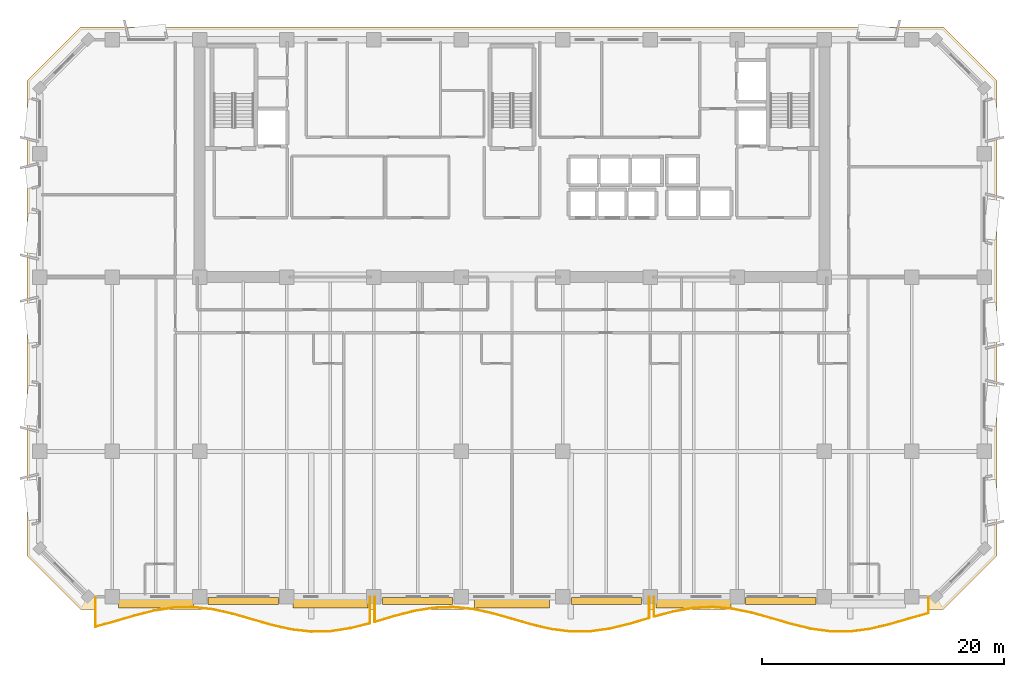
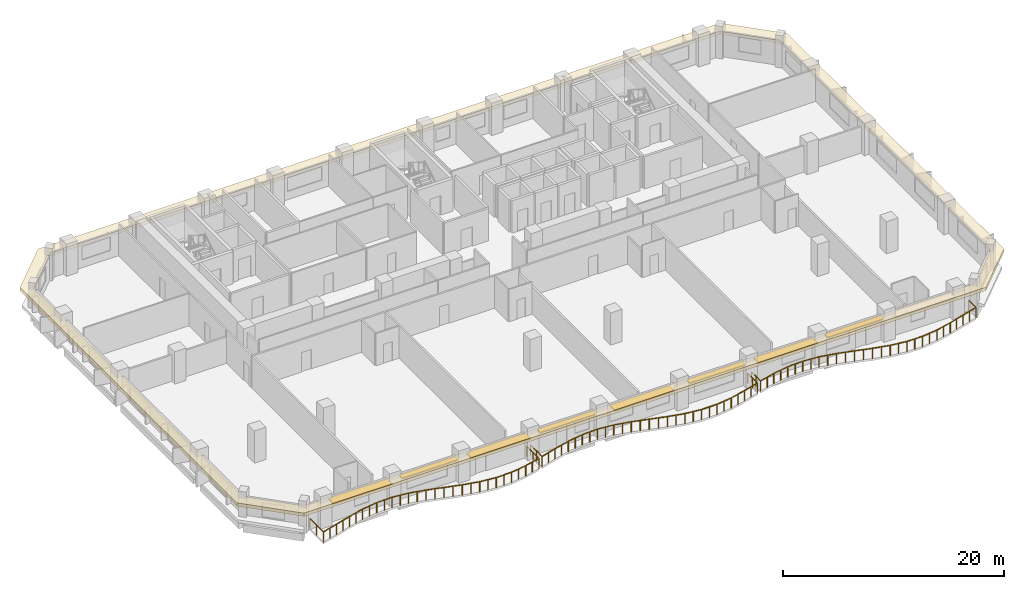
# One storey, part 10 of 14: 8 shading devices, 3 railings, 1 covering.
"""IFC4 building model written with IfcOpenShell, lengths in metres."""

import ifcopenshell
import ifcopenshell.guid

model = None  # the IFC model being written
_history = None  # IfcOwnerHistory: only IFC2X3 demands one
_inside = {}  # id of a spatial element -> (the spatial element, [elements in it])
_under = {}  # id of a project, library or spatial element -> (it, [spatial elements below it])
_declared = {}  # id of a project -> (the project, [libraries it declares])
_typed = {}  # id of a type object -> (the type object, [elements of that type])
_made_of = {}  # id of a material, layer set ... -> (it, [elements and type objects made of it])


def new_model(schema):
    """Start an empty IFC model of exactly this schema.

    Asked for "IFC4X3", IfcOpenShell would pick the latest addendum, in which some entities
    have other attributes; the version numbers below select the first issue.
    IFC2X3 requires an IfcOwnerHistory on every rooted entity: one is made here for all.
    """
    global model, _history
    if schema == "IFC4X3":
        model = ifcopenshell.file(schema_version=(4, 3, 0, 0))
    else:
        model = ifcopenshell.file(schema=schema)
    _inside.clear()
    _under.clear()
    _declared.clear()
    _typed.clear()
    _made_of.clear()
    _history = None
    if model.schema == "IFC2X3":
        org = make("IfcOrganization", Name="unknown")
        user = make(
            "IfcPersonAndOrganization",
            ThePerson=make("IfcPerson", FamilyName="unknown"),
            TheOrganization=org,
        )
        app = make(
            "IfcApplication",
            ApplicationDeveloper=org,
            Version="unknown",
            ApplicationFullName="unknown",
            ApplicationIdentifier="unknown",
        )
        _history = make(
            "IfcOwnerHistory",
            OwningUser=user,
            OwningApplication=app,
            ChangeAction="ADDED",
            CreationDate=0,
        )
    return model


def make(cls, **values):
    """One entity of the class cls with the attributes given. An attribute that is None is left unset."""
    return model.create_entity(
        cls, **{name: value for name, value in values.items() if value is not None}
    )


def rooted(cls, **values):
    """An entity with a GlobalId (a new one), such as an element, a storey or a relation."""
    return make(cls, GlobalId=ifcopenshell.guid.new(), OwnerHistory=_history, **values)


def si_unit(unit_type, name, prefix=None):
    """IfcSIUnit, for example si_unit("LENGTHUNIT", "METRE", prefix="MILLI")."""
    return make("IfcSIUnit", UnitType=unit_type, Prefix=prefix, Name=name)


def assignment(units):
    """IfcUnitAssignment: the units of a project."""
    return None if units is None else make("IfcUnitAssignment", Units=units)


def point(xyz):
    """IfcCartesianPoint."""
    return None if xyz is None else make("IfcCartesianPoint", Coordinates=xyz)


def direction(xyz):
    """IfcDirection."""
    return None if xyz is None else make("IfcDirection", DirectionRatios=xyz)


def frame(location, z_axis=None, x_axis=None):
    """IfcAxis2Placement3D, a coordinate frame: its origin and axes. An axis left out is left unset."""
    return make(
        "IfcAxis2Placement3D",
        Location=point(location),
        Axis=direction(z_axis),
        RefDirection=direction(x_axis),
    )


def frame_2d(location, x_axis=None):
    """IfcAxis2Placement2D, a coordinate frame in the plane: its origin and x axis."""
    return make(
        "IfcAxis2Placement2D", Location=point(location), RefDirection=direction(x_axis)
    )


def origin():
    """The frame at (0, 0, 0) with its axes left unset."""
    return frame((0.0, 0.0, 0.0))


def origin_2d():
    """The frame at (0, 0) in the plane with its x axis left unset."""
    return frame_2d((0.0, 0.0))


def place(relative_to, where):
    """IfcLocalPlacement: puts the frame where relative to a parent placement (None: the world)."""
    return make(
        "IfcLocalPlacement", PlacementRelTo=relative_to, RelativePlacement=where
    )


def context(
    kind, dimensions, precision=None, world=None, true_north=None, identifier=None
):
    """IfcGeometricRepresentationContext, for example the 3D "Model" context."""
    return make(
        "IfcGeometricRepresentationContext",
        ContextIdentifier=identifier,
        ContextType=kind,
        CoordinateSpaceDimension=dimensions,
        Precision=precision,
        WorldCoordinateSystem=world,
        TrueNorth=true_north,
    )


def subcontext(parent, identifier, kind, view, scale=None):
    """IfcGeometricRepresentationSubContext, for example "Body" below "Model"."""
    return make(
        "IfcGeometricRepresentationSubContext",
        ContextIdentifier=identifier,
        ContextType=kind,
        ParentContext=parent,
        TargetScale=scale,
        TargetView=view,
    )


def project(units=None, contexts=None):
    """IfcProject with its units and contexts."""
    return rooted(
        "IfcProject",
        Name="project",
        RepresentationContexts=contexts,
        UnitsInContext=assignment(units),
    )


def spatial(cls, under=None, at=None, **own):
    """A site, building, storey or space (cls), placed at a placement, below another one or the project."""
    s = rooted(cls, ObjectPlacement=at, **own)
    if under is not None:
        _under.setdefault(under.id(), (under, []))[1].append(s)
    return s


def polyline(points):
    """IfcPolyline through the points."""
    return make("IfcPolyline", Points=[point(p) for p in points])


def profile(cls, at=None, kind="AREA", **sizes):
    """A parametric profile (cls). Its sizes go by their IFC names, for example OverallWidth=200.0."""
    return make(cls, ProfileType=kind, Position=at, **sizes)


def rectangle(**sizes):
    """IfcRectangleProfileDef."""
    return profile("IfcRectangleProfileDef", **sizes)


def outline(outer, holes=None, kind="AREA"):
    """IfcArbitraryClosedProfileDef: a profile drawn as a closed curve; with holes, ...WithVoids."""
    if holes is None:
        return make("IfcArbitraryClosedProfileDef", ProfileType=kind, OuterCurve=outer)
    return make(
        "IfcArbitraryProfileDefWithVoids",
        ProfileType=kind,
        OuterCurve=outer,
        InnerCurves=holes,
    )


def extrude(swept, where, along, depth):
    """IfcExtrudedAreaSolid: the profile swept, set in the frame where, extruded along a direction by depth."""
    return make(
        "IfcExtrudedAreaSolid",
        SweptArea=swept,
        Position=where,
        ExtrudedDirection=direction(along),
        Depth=depth,
    )


def shape(context_of_items, identifier, shape_type, items):
    """IfcShapeRepresentation: the items that make up one representation, for example the "Body"."""
    return make(
        "IfcShapeRepresentation",
        ContextOfItems=context_of_items,
        RepresentationIdentifier=identifier,
        RepresentationType=shape_type,
        Items=items,
    )


def material(Name=None, Category=None):
    """IfcMaterial."""
    return make("IfcMaterial", Name=Name, Category=Category)


def layer(
    of_material, thickness, ventilated=None, Name=None, Category=None, Priority=None
):
    """IfcMaterialLayer: one layer of a wall or slab, of a material (None: an air gap)."""
    return make(
        "IfcMaterialLayer",
        Material=of_material,
        LayerThickness=thickness,
        IsVentilated=ventilated,
        Name=Name,
        Category=Category,
        Priority=Priority,
    )


def layer_set(layers, Name=None):
    """IfcMaterialLayerSet."""
    return make("IfcMaterialLayerSet", MaterialLayers=layers, LayerSetName=Name)


def made_of(thing, what):
    """Note that an element or type object is made of a material, layer set ...; save() writes the relation."""
    if what is not None:
        _made_of.setdefault(what.id(), (what, []))[1].append(thing)
    return thing


def type_object(cls, material=None, **own):
    """A type object (cls), such as IfcWallType, which elements share."""
    return made_of(rooted(cls, **own), material)


def element(
    cls,
    number,
    at=None,
    inside=None,
    cuts=None,
    type_object=None,
    material=None,
    context=None,
    identifier="Body",
    shape_type=None,
    held_by="IfcProductDefinitionShape",
    body=None,
    shapes=None,
    **own,
):
    """One element of the class cls, such as IfcWall. Its Tag is "e" and its number.

    at: its placement. inside: the storey or other place that contains it. cuts: it is an
    opening in that element (IfcRelVoidsElement). A single representation is given by context,
    identifier, shape_type and body (its items); several are given by shapes. held_by: the class
    of the entity that holds the representations. save() writes the other relations.
    """
    e = rooted(cls, Tag="e%d" % number, ObjectPlacement=at, **own)
    if body is not None:
        shapes = [shape(context, identifier, shape_type, body)]
    if shapes is not None:
        e.Representation = make(held_by, Representations=shapes)
    if inside is not None:
        _inside.setdefault(inside.id(), (inside, []))[1].append(e)
    if cuts is not None:
        rooted(
            "IfcRelVoidsElement", RelatingBuildingElement=cuts, RelatedOpeningElement=e
        )
    if type_object is not None:
        _typed.setdefault(type_object.id(), (type_object, []))[1].append(e)
    return made_of(e, material)


def aggregate(whole, parts):
    """IfcRelAggregates: a whole, such as a stair, and the parts it consists of."""
    return rooted("IfcRelAggregates", RelatingObject=whole, RelatedObjects=parts)


def save(model, path):
    """Write the relations noted so far, then the file.

    IfcRelAggregates (storeys below a building ...), IfcRelContainedInSpatialStructure (elements
    in a storey), IfcRelDefinesByType, IfcRelAssociatesMaterial and IfcRelDeclares: one each for
    every whole, place, type object, material and project.
    """
    for whole, parts in _under.values():
        aggregate(whole, parts)
    for where, things in _inside.values():
        rooted(
            "IfcRelContainedInSpatialStructure",
            RelatedElements=things,
            RelatingStructure=where,
        )
    for kind, things in _typed.values():
        rooted("IfcRelDefinesByType", RelatedObjects=things, RelatingType=kind)
    for what, things in _made_of.values():
        rooted("IfcRelAssociatesMaterial", RelatedObjects=things, RelatingMaterial=what)
    for by, libraries in _declared.values():
        rooted("IfcRelDeclares", RelatingContext=by, RelatedDefinitions=libraries)
    model.write(path)


model = new_model("IFC4")

# Units and contexts
model_context = context("Model", 3, precision=1e-05, world=origin(), true_north=direction((0.0, 1.0)))
body_context = subcontext(model_context, "Body", "Model", "MODEL_VIEW")
ifc_project = project(units=[si_unit("LENGTHUNIT", "METRE"), si_unit("AREAUNIT", "SQUARE_METRE"), si_unit("VOLUMEUNIT", "CUBIC_METRE"), si_unit("PLANEANGLEUNIT", "RADIAN"), si_unit("MASSUNIT", "GRAM", prefix="KILO")], contexts=[model_context])

# Site, building, storey
site_placement = place(None, origin())
site = spatial("IfcSite", under=ifc_project, at=site_placement, CompositionType="ELEMENT")
building_placement = place(site_placement, origin())
building = spatial("IfcBuilding", under=site, at=building_placement, Name="Kaelvorn Grand Hotel", CompositionType="ELEMENT")
storey_placement = place(building_placement, frame((0.0, 0.0, 216.75)))
storey = spatial("IfcBuildingStorey", under=building, at=storey_placement, Name="L53", CompositionType="ELEMENT", Elevation=216.75)

# Covering
ifc_material_1 = material(Name="Precast concrete C45/55", Category="concrete")
ifc_layer_1 = layer(ifc_material_1, 0.260009765625)
ifc_layer_set_1 = layer_set([ifc_layer_1], Name="Precast concrete C45/55")
covering_type = type_object("IfcCoveringType", Name="COV-BAND-STREAMLINE-HEAD", PredefinedType="CLADDING", material=ifc_layer_set_1)
covering_placement = place(storey_placement, frame((0.0, 0.0, 2.3798828125)))
element("IfcCovering", 1, at=covering_placement, inside=storey, type_object=covering_type, Name="L53 Streamline Moderne Wraparound Horizontal Eyebrow Band", PredefinedType="CLADDING", context=body_context, shape_type="SweptSolid", body=[
    extrude(outline(polyline([(6.389892578125, 1.949951171875), (77.610107421875, 1.949951171875), (82.050048828125, 6.389892578125), (82.050048828125, 45.610107421875), (77.610107421875, 50.050048828125), (6.389892578125, 50.050048828125), (1.949951171875, 45.610107421875), (1.949951171875, 6.389892578125), (6.389892578125, 1.949951171875)]), holes=[polyline([(7.02001953125, 3.030029296875), (76.97998046875, 3.030029296875), (80.969970703125, 7.02001953125), (80.969970703125, 44.97998046875), (76.97998046875, 48.969970703125), (7.02001953125, 48.969970703125), (3.030029296875, 44.97998046875), (3.030029296875, 7.02001953125), (7.02001953125, 3.030029296875)])]), origin(), (0.0, 0.0, 1.0), 0.360107421875),
])

# Railings
ifc_material_2 = material(Name="Stainless Steel", Category="steel")
railing_type = type_object("IfcRailingType", Name="RL-BALC-1150", PredefinedType="BALUSTRADE", material=ifc_material_2)
railing_1_placement = place(storey_placement, frame((7.60009765625, 3.0, 0.0)))
element("IfcRailing", 2, at=railing_1_placement, inside=storey, type_object=railing_type, Name="L53 Scalloped Wave Balcony Balustrade GR1-1", PredefinedType="BALUSTRADE", context=body_context, shape_type="SweptSolid", body=[
    extrude(rectangle(XDim=0.048095703125, YDim=0.048095703125, at=origin_2d()), frame((0.0, 0.0, 1.1259765625), z_axis=(0.0, -1.0, 0.0), x_axis=(1.0, 0.0, 0.0)), (0.0, 0.0, 1.0), 2.4775390625),
    extrude(rectangle(XDim=0.048095703125, YDim=0.048095703125, at=origin_2d()), frame((0.0, -2.4775390625, 1.1259765625), z_axis=(0.964706723911, 0.263326673244, 0.0), x_axis=(-0.263326673244, 0.964706723911, 0.0)), (0.0, 0.0, 1.0), 1.67822265625),
    extrude(rectangle(XDim=0.048095703125, YDim=0.048095703125, at=origin_2d()), frame((1.618896484375, -2.03564453125, 1.1259765625), z_axis=(0.959271015447, 0.282487378343, 0.0), x_axis=(-0.282487378343, 0.959271015447, 0.0)), (0.0, 0.0, 1.0), 1.68798828125),
    extrude(rectangle(XDim=0.048095703125, YDim=0.048095703125, at=origin_2d()), frame((3.238037109375, -1.558837890625, 1.1259765625), z_axis=(0.969684876745, 0.244358834119, 0.0), x_axis=(-0.244358834119, 0.969684876745, 0.0)), (0.0, 0.0, 1.0), 1.66943359375),
    extrude(rectangle(XDim=0.048095703125, YDim=0.048095703125, at=origin_2d()), frame((4.85693359375, -1.15087890625, 1.1259765625), z_axis=(0.988266376018, 0.152740204375, 0.0), x_axis=(-0.152740204375, 0.988266376018, 0.0)), (0.0, 0.0, 1.0), 1.638427734375),
    extrude(rectangle(XDim=0.048095703125, YDim=0.048095703125, at=origin_2d()), frame((6.47607421875, -0.900634765625, 1.1259765625), z_axis=(0.999719909885, 0.023666469519, 0.0), x_axis=(-0.023666469519, 0.999719909885, 0.0)), (0.0, 0.0, 1.0), 1.61962890625),
    extrude(rectangle(XDim=0.048095703125, YDim=0.048095703125, at=origin_2d()), frame((8.09521484375, -0.8623046875, 1.1259765625), z_axis=(0.993714448336, -0.111944607587, 0.0), x_axis=(0.111944607587, 0.993714448336, 0.0)), (0.0, 0.0, 1.0), 1.629150390625),
    extrude(rectangle(XDim=0.048095703125, YDim=0.048095703125, at=origin_2d()), frame((9.714111328125, -1.044677734375, 1.1259765625), z_axis=(0.975741913749, -0.218923999949, 0.0), x_axis=(0.218923999949, 0.975741913749, 0.0)), (0.0, 0.0, 1.0), 1.659423828125),
    extrude(rectangle(XDim=0.048095703125, YDim=0.048095703125, at=origin_2d()), frame((11.333251953125, -1.407958984375, 1.1259765625), z_axis=(0.961173148549, -0.275945970271, 0.0), x_axis=(0.275945970271, 0.961173148549, 0.0)), (0.0, 0.0, 1.0), 1.6845703125),
    extrude(rectangle(XDim=0.048095703125, YDim=0.048095703125, at=origin_2d()), frame((12.952392578125, -1.872802734375, 1.1259765625), z_axis=(0.961085178818, -0.276252201904, 0.0), x_axis=(0.276252201904, 0.961085178818, 0.0)), (0.0, 0.0, 1.0), 1.684326171875),
    extrude(rectangle(XDim=0.048095703125, YDim=0.048095703125, at=origin_2d()), frame((14.5712890625, -2.338134765625, 1.1259765625), z_axis=(0.975584547078, -0.219624205185, 0.0), x_axis=(0.219624205185, 0.975584547078, 0.0)), (0.0, 0.0, 1.0), 1.65966796875),
    extrude(rectangle(XDim=0.048095703125, YDim=0.048095703125, at=origin_2d()), frame((16.1904296875, -2.70263671875, 1.1259765625), z_axis=(0.993580397726, -0.113128215998, 0.0), x_axis=(0.113128215998, 0.993580397726, 0.0)), (0.0, 0.0, 1.0), 1.62939453125),
    extrude(rectangle(XDim=0.048095703125, YDim=0.048095703125, at=origin_2d()), frame((17.809326171875, -2.886962890625, 1.1259765625), z_axis=(0.999751090068, 0.022310488741, 0.0), x_axis=(-0.022310488741, 0.999751090068, 0.0)), (0.0, 0.0, 1.0), 1.61962890625),
    extrude(rectangle(XDim=0.048095703125, YDim=0.048095703125, at=origin_2d()), frame((19.428466796875, -2.850830078125, 1.1259765625), z_axis=(0.988423330197, 0.151721192723, 0.0), x_axis=(-0.151721192723, 0.988423330197, 0.0)), (0.0, 0.0, 1.0), 1.63818359375),
    extrude(rectangle(XDim=0.048095703125, YDim=0.048095703125, at=origin_2d()), frame((21.047607421875, -2.602294921875, 1.1259765625), z_axis=(0.969857916649, 0.243671133937, 0.0), x_axis=(-0.243671133937, 0.969857916649, 0.0)), (0.0, 0.0, 1.0), 1.669189453125),
    extrude(rectangle(XDim=0.048095703125, YDim=0.048095703125, at=origin_2d()), frame((22.66650390625, -2.195556640625, 1.1259765625), z_axis=(0.0, 1.0, 0.0), x_axis=(-1.0, 0.0, 0.0)), (0.0, 0.0, 1.0), 2.195556640625),
    extrude(rectangle(XDim=0.0419921875, YDim=0.0419921875, at=origin_2d()), origin(), (0.0, 0.0, 1.0), 1.101806640625),
    extrude(rectangle(XDim=0.0419921875, YDim=0.0419921875, at=origin_2d()), frame((0.0, -1.23876953125, 0.0)), (0.0, 0.0, 1.0), 1.101806640625),
    extrude(rectangle(XDim=0.0419921875, YDim=0.0419921875, at=origin_2d()), frame((0.0, -2.4775390625, 0.0)), (0.0, 0.0, 1.0), 1.101806640625),
    extrude(rectangle(XDim=0.0419921875, YDim=0.0419921875, at=origin_2d()), frame((0.8095703125, -2.256591796875, 0.0)), (0.0, 0.0, 1.0), 1.101806640625),
    extrude(rectangle(XDim=0.0419921875, YDim=0.0419921875, at=origin_2d()), frame((1.618896484375, -2.03564453125, 0.0)), (0.0, 0.0, 1.0), 1.101806640625),
    extrude(rectangle(XDim=0.0419921875, YDim=0.0419921875, at=origin_2d()), frame((2.428466796875, -1.79736328125, 0.0)), (0.0, 0.0, 1.0), 1.101806640625),
    extrude(rectangle(XDim=0.0419921875, YDim=0.0419921875, at=origin_2d()), frame((3.238037109375, -1.558837890625, 0.0)), (0.0, 0.0, 1.0), 1.101806640625),
    extrude(rectangle(XDim=0.0419921875, YDim=0.0419921875, at=origin_2d()), frame((4.04736328125, -1.35498046875, 0.0)), (0.0, 0.0, 1.0), 1.101806640625),
    extrude(rectangle(XDim=0.0419921875, YDim=0.0419921875, at=origin_2d()), frame((4.85693359375, -1.15087890625, 0.0)), (0.0, 0.0, 1.0), 1.101806640625),
    extrude(rectangle(XDim=0.0419921875, YDim=0.0419921875, at=origin_2d()), frame((5.66650390625, -1.02587890625, 0.0)), (0.0, 0.0, 1.0), 1.101806640625),
    extrude(rectangle(XDim=0.0419921875, YDim=0.0419921875, at=origin_2d()), frame((6.47607421875, -0.900634765625, 0.0)), (0.0, 0.0, 1.0), 1.101806640625),
    extrude(rectangle(XDim=0.0419921875, YDim=0.0419921875, at=origin_2d()), frame((7.28564453125, -0.88134765625, 0.0)), (0.0, 0.0, 1.0), 1.101806640625),
    extrude(rectangle(XDim=0.0419921875, YDim=0.0419921875, at=origin_2d()), frame((8.09521484375, -0.8623046875, 0.0)), (0.0, 0.0, 1.0), 1.101806640625),
    extrude(rectangle(XDim=0.0419921875, YDim=0.0419921875, at=origin_2d()), frame((8.90478515625, -0.95361328125, 0.0)), (0.0, 0.0, 1.0), 1.101806640625),
    extrude(rectangle(XDim=0.0419921875, YDim=0.0419921875, at=origin_2d()), frame((9.714111328125, -1.044677734375, 0.0)), (0.0, 0.0, 1.0), 1.101806640625),
    extrude(rectangle(XDim=0.0419921875, YDim=0.0419921875, at=origin_2d()), frame((10.523681640625, -1.226318359375, 0.0)), (0.0, 0.0, 1.0), 1.101806640625),
    extrude(rectangle(XDim=0.0419921875, YDim=0.0419921875, at=origin_2d()), frame((11.333251953125, -1.407958984375, 0.0)), (0.0, 0.0, 1.0), 1.101806640625),
    extrude(rectangle(XDim=0.0419921875, YDim=0.0419921875, at=origin_2d()), frame((12.142822265625, -1.640380859375, 0.0)), (0.0, 0.0, 1.0), 1.101806640625),
    extrude(rectangle(XDim=0.0419921875, YDim=0.0419921875, at=origin_2d()), frame((12.952392578125, -1.872802734375, 0.0)), (0.0, 0.0, 1.0), 1.101806640625),
    extrude(rectangle(XDim=0.0419921875, YDim=0.0419921875, at=origin_2d()), frame((13.76171875, -2.10546875, 0.0)), (0.0, 0.0, 1.0), 1.101806640625),
    extrude(rectangle(XDim=0.0419921875, YDim=0.0419921875, at=origin_2d()), frame((14.5712890625, -2.338134765625, 0.0)), (0.0, 0.0, 1.0), 1.101806640625),
    extrude(rectangle(XDim=0.0419921875, YDim=0.0419921875, at=origin_2d()), frame((15.380859375, -2.5205078125, 0.0)), (0.0, 0.0, 1.0), 1.101806640625),
    extrude(rectangle(XDim=0.0419921875, YDim=0.0419921875, at=origin_2d()), frame((16.1904296875, -2.70263671875, 0.0)), (0.0, 0.0, 1.0), 1.101806640625),
    extrude(rectangle(XDim=0.0419921875, YDim=0.0419921875, at=origin_2d()), frame((17.0, -2.794921875, 0.0)), (0.0, 0.0, 1.0), 1.101806640625),
    extrude(rectangle(XDim=0.0419921875, YDim=0.0419921875, at=origin_2d()), frame((17.809326171875, -2.886962890625, 0.0)), (0.0, 0.0, 1.0), 1.101806640625),
    extrude(rectangle(XDim=0.0419921875, YDim=0.0419921875, at=origin_2d()), frame((18.618896484375, -2.868896484375, 0.0)), (0.0, 0.0, 1.0), 1.101806640625),
    extrude(rectangle(XDim=0.0419921875, YDim=0.0419921875, at=origin_2d()), frame((19.428466796875, -2.850830078125, 0.0)), (0.0, 0.0, 1.0), 1.101806640625),
    extrude(rectangle(XDim=0.0419921875, YDim=0.0419921875, at=origin_2d()), frame((20.238037109375, -2.7265625, 0.0)), (0.0, 0.0, 1.0), 1.101806640625),
    extrude(rectangle(XDim=0.0419921875, YDim=0.0419921875, at=origin_2d()), frame((21.047607421875, -2.602294921875, 0.0)), (0.0, 0.0, 1.0), 1.101806640625),
    extrude(rectangle(XDim=0.0419921875, YDim=0.0419921875, at=origin_2d()), frame((21.85693359375, -2.39892578125, 0.0)), (0.0, 0.0, 1.0), 1.101806640625),
    extrude(rectangle(XDim=0.0419921875, YDim=0.0419921875, at=origin_2d()), frame((22.66650390625, -2.195556640625, 0.0)), (0.0, 0.0, 1.0), 1.101806640625),
    extrude(rectangle(XDim=0.0419921875, YDim=0.0419921875, at=origin_2d()), frame((22.66650390625, -1.09765625, 0.0)), (0.0, 0.0, 1.0), 1.101806640625),
    extrude(rectangle(XDim=0.0419921875, YDim=0.0419921875, at=origin_2d()), frame((22.66650390625, 0.0, 0.0)), (0.0, 0.0, 1.0), 1.101806640625),
])
railing_2_placement = place(storey_placement, frame((30.666748046875, 3.0, 0.0)))
element("IfcRailing", 3, at=railing_2_placement, inside=storey, type_object=railing_type, Name="L53 Scalloped Wave Balcony Balustrade GR1-2", PredefinedType="BALUSTRADE", context=body_context, shape_type="SweptSolid", body=[
    extrude(rectangle(XDim=0.048095703125, YDim=0.048095703125, at=origin_2d()), frame((0.0, 0.0, 1.1259765625), z_axis=(0.0, -1.0, 0.0), x_axis=(1.0, 0.0, 0.0)), (0.0, 0.0, 1.0), 2.080322265625),
    extrude(rectangle(XDim=0.048095703125, YDim=0.048095703125, at=origin_2d()), frame((0.0, -2.080322265625, 1.1259765625), z_axis=(0.959063249993, 0.283191953474, 0.0), x_axis=(-0.283191953474, 0.959063249993, 0.0)), (0.0, 0.0, 1.0), 1.68798828125),
    extrude(rectangle(XDim=0.048095703125, YDim=0.048095703125, at=origin_2d()), frame((1.618896484375, -1.602294921875, 1.1259765625), z_axis=(0.968153012553, 0.250359230478, 0.0), x_axis=(-0.250359230478, 0.968153012553, 0.0)), (0.0, 0.0, 1.0), 1.67236328125),
    extrude(rectangle(XDim=0.048095703125, YDim=0.048095703125, at=origin_2d()), frame((3.238037109375, -1.18359375, 1.1259765625), z_axis=(0.986570255456, 0.163337475949, 0.0), x_axis=(-0.163337475949, 0.986570255456, 0.0)), (0.0, 0.0, 1.0), 1.64111328125),
    extrude(rectangle(XDim=0.048095703125, YDim=0.048095703125, at=origin_2d()), frame((4.857177734375, -0.91552734375, 1.1259765625), z_axis=(0.999334712879, 0.036470969766, 0.0), x_axis=(-0.036470969766, 0.999334712879, 0.0)), (0.0, 0.0, 1.0), 1.619873046875),
    extrude(rectangle(XDim=0.048095703125, YDim=0.048095703125, at=origin_2d()), frame((6.47607421875, -0.8564453125, 1.1259765625), z_axis=(0.994995510951, -0.099919633639, 0.0), x_axis=(0.099919633639, 0.994995510951, 0.0)), (0.0, 0.0, 1.0), 1.627197265625),
    extrude(rectangle(XDim=0.048095703125, YDim=0.048095703125, at=origin_2d()), frame((8.09521484375, -1.01904296875, 1.1259765625), z_axis=(0.977557965922, -0.210666616393, 0.0), x_axis=(0.210666616393, 0.977557965922, 0.0)), (0.0, 0.0, 1.0), 1.656005859375),
    extrude(rectangle(XDim=0.048095703125, YDim=0.048095703125, at=origin_2d()), frame((9.714111328125, -1.367919921875, 1.1259765625), z_axis=(0.962015046514, -0.272996429062, 0.0), x_axis=(0.272996429062, 0.962015046514, 0.0)), (0.0, 0.0, 1.0), 1.68310546875),
    extrude(rectangle(XDim=0.048095703125, YDim=0.048095703125, at=origin_2d()), frame((11.333251953125, -1.827392578125, 1.1259765625), z_axis=(0.960401242625, -0.278620625876, 0.0), x_axis=(0.278620625876, 0.960401242625, 0.0)), (0.0, 0.0, 1.0), 1.685791015625),
    extrude(rectangle(XDim=0.048095703125, YDim=0.048095703125, at=origin_2d()), frame((12.952392578125, -2.297119140625, 1.1259765625), z_axis=(0.973816289073, -0.22733639202, 0.0), x_axis=(0.22733639202, 0.973816289073, 0.0)), (0.0, 0.0, 1.0), 1.662353515625),
    extrude(rectangle(XDim=0.048095703125, YDim=0.048095703125, at=origin_2d()), frame((14.5712890625, -2.675048828125, 1.1259765625), z_axis=(0.992185538276, -0.124771221188, 0.0), x_axis=(0.124771221188, 0.992185538276, 0.0)), (0.0, 0.0, 1.0), 1.6318359375),
    extrude(rectangle(XDim=0.048095703125, YDim=0.048095703125, at=origin_2d()), frame((16.1904296875, -2.878662109375, 1.1259765625), z_axis=(0.9999576899, 0.009198826585, 0.0), x_axis=(-0.009198826585, 0.9999576899, 0.0)), (0.0, 0.0, 1.0), 1.618896484375),
    extrude(rectangle(XDim=0.048095703125, YDim=0.048095703125, at=origin_2d()), frame((17.809326171875, -2.86376953125, 1.1259765625), z_axis=(0.9900626322, 0.140627110907, 0.0), x_axis=(-0.140627110907, 0.9900626322, 0.0)), (0.0, 0.0, 1.0), 1.635498046875),
    extrude(rectangle(XDim=0.048095703125, YDim=0.048095703125, at=origin_2d()), frame((19.428466796875, -2.6337890625, 1.1259765625), z_axis=(0.971438035801, 0.237293368214, 0.0), x_axis=(-0.237293368214, 0.971438035801, 0.0)), (0.0, 0.0, 1.0), 1.666748046875),
    extrude(rectangle(XDim=0.048095703125, YDim=0.048095703125, at=origin_2d()), frame((21.047607421875, -2.23828125, 1.1259765625), z_axis=(0.959650766176, 0.281194606949, 0.0), x_axis=(-0.281194606949, 0.959650766176, 0.0)), (0.0, 0.0, 1.0), 1.68701171875),
    extrude(rectangle(XDim=0.048095703125, YDim=0.048095703125, at=origin_2d()), frame((22.66650390625, -1.763916015625, 1.1259765625), z_axis=(0.0, 1.0, 0.0), x_axis=(-1.0, 0.0, 0.0)), (0.0, 0.0, 1.0), 1.763916015625),
    extrude(rectangle(XDim=0.0419921875, YDim=0.0419921875, at=origin_2d()), origin(), (0.0, 0.0, 1.0), 1.101806640625),
    extrude(rectangle(XDim=0.0419921875, YDim=0.0419921875, at=origin_2d()), frame((0.0, -1.0400390625, 0.0)), (0.0, 0.0, 1.0), 1.101806640625),
    extrude(rectangle(XDim=0.0419921875, YDim=0.0419921875, at=origin_2d()), frame((0.0, -2.080322265625, 0.0)), (0.0, 0.0, 1.0), 1.101806640625),
    extrude(rectangle(XDim=0.0419921875, YDim=0.0419921875, at=origin_2d()), frame((0.8095703125, -1.84130859375, 0.0)), (0.0, 0.0, 1.0), 1.101806640625),
    extrude(rectangle(XDim=0.0419921875, YDim=0.0419921875, at=origin_2d()), frame((1.618896484375, -1.602294921875, 0.0)), (0.0, 0.0, 1.0), 1.101806640625),
    extrude(rectangle(XDim=0.0419921875, YDim=0.0419921875, at=origin_2d()), frame((2.428466796875, -1.39306640625, 0.0)), (0.0, 0.0, 1.0), 1.101806640625),
    extrude(rectangle(XDim=0.0419921875, YDim=0.0419921875, at=origin_2d()), frame((3.238037109375, -1.18359375, 0.0)), (0.0, 0.0, 1.0), 1.101806640625),
    extrude(rectangle(XDim=0.0419921875, YDim=0.0419921875, at=origin_2d()), frame((4.047607421875, -1.049560546875, 0.0)), (0.0, 0.0, 1.0), 1.101806640625),
    extrude(rectangle(XDim=0.0419921875, YDim=0.0419921875, at=origin_2d()), frame((4.857177734375, -0.91552734375, 0.0)), (0.0, 0.0, 1.0), 1.101806640625),
    extrude(rectangle(XDim=0.0419921875, YDim=0.0419921875, at=origin_2d()), frame((5.66650390625, -0.885986328125, 0.0)), (0.0, 0.0, 1.0), 1.101806640625),
    extrude(rectangle(XDim=0.0419921875, YDim=0.0419921875, at=origin_2d()), frame((6.47607421875, -0.8564453125, 0.0)), (0.0, 0.0, 1.0), 1.101806640625),
    extrude(rectangle(XDim=0.0419921875, YDim=0.0419921875, at=origin_2d()), frame((7.28564453125, -0.937744140625, 0.0)), (0.0, 0.0, 1.0), 1.101806640625),
    extrude(rectangle(XDim=0.0419921875, YDim=0.0419921875, at=origin_2d()), frame((8.09521484375, -1.01904296875, 0.0)), (0.0, 0.0, 1.0), 1.101806640625),
    extrude(rectangle(XDim=0.0419921875, YDim=0.0419921875, at=origin_2d()), frame((8.90478515625, -1.193359375, 0.0)), (0.0, 0.0, 1.0), 1.101806640625),
    extrude(rectangle(XDim=0.0419921875, YDim=0.0419921875, at=origin_2d()), frame((9.714111328125, -1.367919921875, 0.0)), (0.0, 0.0, 1.0), 1.101806640625),
    extrude(rectangle(XDim=0.0419921875, YDim=0.0419921875, at=origin_2d()), frame((10.523681640625, -1.59765625, 0.0)), (0.0, 0.0, 1.0), 1.101806640625),
    extrude(rectangle(XDim=0.0419921875, YDim=0.0419921875, at=origin_2d()), frame((11.333251953125, -1.827392578125, 0.0)), (0.0, 0.0, 1.0), 1.101806640625),
    extrude(rectangle(XDim=0.0419921875, YDim=0.0419921875, at=origin_2d()), frame((12.142822265625, -2.062255859375, 0.0)), (0.0, 0.0, 1.0), 1.101806640625),
    extrude(rectangle(XDim=0.0419921875, YDim=0.0419921875, at=origin_2d()), frame((12.952392578125, -2.297119140625, 0.0)), (0.0, 0.0, 1.0), 1.101806640625),
    extrude(rectangle(XDim=0.0419921875, YDim=0.0419921875, at=origin_2d()), frame((13.76171875, -2.486083984375, 0.0)), (0.0, 0.0, 1.0), 1.101806640625),
    extrude(rectangle(XDim=0.0419921875, YDim=0.0419921875, at=origin_2d()), frame((14.5712890625, -2.675048828125, 0.0)), (0.0, 0.0, 1.0), 1.101806640625),
    extrude(rectangle(XDim=0.0419921875, YDim=0.0419921875, at=origin_2d()), frame((15.380859375, -2.77685546875, 0.0)), (0.0, 0.0, 1.0), 1.101806640625),
    extrude(rectangle(XDim=0.0419921875, YDim=0.0419921875, at=origin_2d()), frame((16.1904296875, -2.878662109375, 0.0)), (0.0, 0.0, 1.0), 1.101806640625),
    extrude(rectangle(XDim=0.0419921875, YDim=0.0419921875, at=origin_2d()), frame((17.0, -2.87109375, 0.0)), (0.0, 0.0, 1.0), 1.101806640625),
    extrude(rectangle(XDim=0.0419921875, YDim=0.0419921875, at=origin_2d()), frame((17.809326171875, -2.86376953125, 0.0)), (0.0, 0.0, 1.0), 1.101806640625),
    extrude(rectangle(XDim=0.0419921875, YDim=0.0419921875, at=origin_2d()), frame((18.618896484375, -2.748779296875, 0.0)), (0.0, 0.0, 1.0), 1.101806640625),
    extrude(rectangle(XDim=0.0419921875, YDim=0.0419921875, at=origin_2d()), frame((19.428466796875, -2.6337890625, 0.0)), (0.0, 0.0, 1.0), 1.101806640625),
    extrude(rectangle(XDim=0.0419921875, YDim=0.0419921875, at=origin_2d()), frame((20.238037109375, -2.43603515625, 0.0)), (0.0, 0.0, 1.0), 1.101806640625),
    extrude(rectangle(XDim=0.0419921875, YDim=0.0419921875, at=origin_2d()), frame((21.047607421875, -2.23828125, 0.0)), (0.0, 0.0, 1.0), 1.101806640625),
    extrude(rectangle(XDim=0.0419921875, YDim=0.0419921875, at=origin_2d()), frame((21.85693359375, -2.0009765625, 0.0)), (0.0, 0.0, 1.0), 1.101806640625),
    extrude(rectangle(XDim=0.0419921875, YDim=0.0419921875, at=origin_2d()), frame((22.66650390625, -1.763916015625, 0.0)), (0.0, 0.0, 1.0), 1.101806640625),
    extrude(rectangle(XDim=0.0419921875, YDim=0.0419921875, at=origin_2d()), frame((22.66650390625, -0.8818359375, 0.0)), (0.0, 0.0, 1.0), 1.101806640625),
    extrude(rectangle(XDim=0.0419921875, YDim=0.0419921875, at=origin_2d()), frame((22.66650390625, 0.0, 0.0)), (0.0, 0.0, 1.0), 1.101806640625),
])
railing_3_placement = place(storey_placement, frame((53.7333984375, 3.0, 0.0)))
element("IfcRailing", 4, at=railing_3_placement, inside=storey, type_object=railing_type, Name="L53 Scalloped Wave Balcony Balustrade GR1-3", PredefinedType="BALUSTRADE", context=body_context, shape_type="SweptSolid", body=[
    extrude(rectangle(XDim=0.048095703125, YDim=0.048095703125, at=origin_2d()), frame((0.0, 0.0, 1.1259765625), z_axis=(0.0, -1.0, 0.0), x_axis=(1.0, 0.0, 0.0)), (0.0, 0.0, 1.0), 1.646240234375),
    extrude(rectangle(XDim=0.048095703125, YDim=0.048095703125, at=origin_2d()), frame((0.0, -1.646240234375, 1.1259765625), z_axis=(0.966714773479, 0.255856496374, 0.0), x_axis=(-0.255856496374, 0.966714773479, 0.0)), (0.0, 0.0, 1.0), 1.674560546875),
    extrude(rectangle(XDim=0.048095703125, YDim=0.048095703125, at=origin_2d()), frame((1.618896484375, -1.2177734375, 1.1259765625), z_axis=(0.984817922582, 0.17359049329, 0.0), x_axis=(-0.17359049329, 0.984817922582, 0.0)), (0.0, 0.0, 1.0), 1.64404296875),
    extrude(rectangle(XDim=0.048095703125, YDim=0.048095703125, at=origin_2d()), frame((3.238037109375, -0.932373046875, 1.1259765625), z_axis=(0.998779232858, 0.049396801625, 0.0), x_axis=(-0.049396801625, 0.998779232858, 0.0)), (0.0, 0.0, 1.0), 1.62109375),
    extrude(rectangle(XDim=0.048095703125, YDim=0.048095703125, at=origin_2d()), frame((4.857177734375, -0.852294921875, 1.1259765625), z_axis=(0.996144150132, -0.087731591566, 0.0), x_axis=(0.087731591566, 0.996144150132, 0.0)), (0.0, 0.0, 1.0), 1.625244140625),
    extrude(rectangle(XDim=0.048095703125, YDim=0.048095703125, at=origin_2d()), frame((6.47607421875, -0.994873046875, 1.1259765625), z_axis=(0.979381482603, -0.202019582057, 0.0), x_axis=(0.202019582057, 0.979381482603, 0.0)), (0.0, 0.0, 1.0), 1.6533203125),
    extrude(rectangle(XDim=0.048095703125, YDim=0.048095703125, at=origin_2d()), frame((8.09521484375, -1.328857421875, 1.1259765625), z_axis=(0.962989656047, -0.269538350418, 0.0), x_axis=(0.269538350418, 0.962989656047, 0.0)), (0.0, 0.0, 1.0), 1.68115234375),
    extrude(rectangle(XDim=0.048095703125, YDim=0.048095703125, at=origin_2d()), frame((9.714111328125, -1.781982421875, 1.1259765625), z_axis=(0.959818254788, -0.280622375759, 0.0), x_axis=(0.280622375759, 0.959818254788, 0.0)), (0.0, 0.0, 1.0), 1.68701171875),
    extrude(rectangle(XDim=0.048095703125, YDim=0.048095703125, at=origin_2d()), frame((11.333251953125, -2.25537109375, 1.1259765625), z_axis=(0.972143279615, -0.234387379992, 0.0), x_axis=(0.234387379992, 0.972143279615, 0.0)), (0.0, 0.0, 1.0), 1.66552734375),
    extrude(rectangle(XDim=0.048095703125, YDim=0.048095703125, at=origin_2d()), frame((12.952392578125, -2.645751953125, 1.1259765625), z_axis=(0.990674050906, -0.136253164594, 0.0), x_axis=(0.136253164594, 0.990674050906, 0.0)), (0.0, 0.0, 1.0), 1.634033203125),
    extrude(rectangle(XDim=0.048095703125, YDim=0.048095703125, at=origin_2d()), frame((14.5712890625, -2.868408203125, 1.1259765625), z_axis=(0.999992315375, -0.003920355881, 0.0), x_axis=(0.003920355881, 0.999992315375, 0.0)), (0.0, 0.0, 1.0), 1.619140625),
    extrude(rectangle(XDim=0.048095703125, YDim=0.048095703125, at=origin_2d()), frame((16.1904296875, -2.874755859375, 1.1259765625), z_axis=(0.991601244907, 0.129332792045, 0.0), x_axis=(-0.129332792045, 0.991601244907, 0.0)), (0.0, 0.0, 1.0), 1.6328125),
    extrude(rectangle(XDim=0.048095703125, YDim=0.048095703125, at=origin_2d()), frame((17.8095703125, -2.66357421875, 1.1259765625), z_axis=(0.973129632445, 0.230257938969, 0.0), x_axis=(-0.230257938969, 0.973129632445, 0.0)), (0.0, 0.0, 1.0), 1.66357421875),
    extrude(rectangle(XDim=0.048095703125, YDim=0.048095703125, at=origin_2d()), frame((19.428466796875, -2.280517578125, 1.1259765625), z_axis=(0.960129612925, 0.279555229578, 0.0), x_axis=(-0.279555229578, 0.960129612925, 0.0)), (0.0, 0.0, 1.0), 1.686279296875),
    extrude(rectangle(XDim=0.048095703125, YDim=0.048095703125, at=origin_2d()), frame((21.047607421875, -1.80908203125, 1.1259765625), z_axis=(0.962422446372, 0.271556687854, 0.0), x_axis=(-0.271556687854, 0.962422446372, 0.0)), (0.0, 0.0, 1.0), 1.68212890625),
    extrude(rectangle(XDim=0.048095703125, YDim=0.048095703125, at=origin_2d()), frame((22.66650390625, -1.352294921875, 1.1259765625), z_axis=(0.0, 1.0, 0.0), x_axis=(-1.0, 0.0, 0.0)), (0.0, 0.0, 1.0), 1.352294921875),
    extrude(rectangle(XDim=0.0419921875, YDim=0.0419921875, at=origin_2d()), origin(), (0.0, 0.0, 1.0), 1.101806640625),
    extrude(rectangle(XDim=0.0419921875, YDim=0.0419921875, at=origin_2d()), frame((0.0, -0.8232421875, 0.0)), (0.0, 0.0, 1.0), 1.101806640625),
    extrude(rectangle(XDim=0.0419921875, YDim=0.0419921875, at=origin_2d()), frame((0.0, -1.646240234375, 0.0)), (0.0, 0.0, 1.0), 1.101806640625),
    extrude(rectangle(XDim=0.0419921875, YDim=0.0419921875, at=origin_2d()), frame((0.8095703125, -1.43212890625, 0.0)), (0.0, 0.0, 1.0), 1.101806640625),
    extrude(rectangle(XDim=0.0419921875, YDim=0.0419921875, at=origin_2d()), frame((1.618896484375, -1.2177734375, 0.0)), (0.0, 0.0, 1.0), 1.101806640625),
    extrude(rectangle(XDim=0.0419921875, YDim=0.0419921875, at=origin_2d()), frame((2.428466796875, -1.0751953125, 0.0)), (0.0, 0.0, 1.0), 1.101806640625),
    extrude(rectangle(XDim=0.0419921875, YDim=0.0419921875, at=origin_2d()), frame((3.238037109375, -0.932373046875, 0.0)), (0.0, 0.0, 1.0), 1.101806640625),
    extrude(rectangle(XDim=0.0419921875, YDim=0.0419921875, at=origin_2d()), frame((4.047607421875, -0.892333984375, 0.0)), (0.0, 0.0, 1.0), 1.101806640625),
    extrude(rectangle(XDim=0.0419921875, YDim=0.0419921875, at=origin_2d()), frame((4.857177734375, -0.852294921875, 0.0)), (0.0, 0.0, 1.0), 1.101806640625),
    extrude(rectangle(XDim=0.0419921875, YDim=0.0419921875, at=origin_2d()), frame((5.66650390625, -0.923583984375, 0.0)), (0.0, 0.0, 1.0), 1.101806640625),
    extrude(rectangle(XDim=0.0419921875, YDim=0.0419921875, at=origin_2d()), frame((6.47607421875, -0.994873046875, 0.0)), (0.0, 0.0, 1.0), 1.101806640625),
    extrude(rectangle(XDim=0.0419921875, YDim=0.0419921875, at=origin_2d()), frame((7.28564453125, -1.161865234375, 0.0)), (0.0, 0.0, 1.0), 1.101806640625),
    extrude(rectangle(XDim=0.0419921875, YDim=0.0419921875, at=origin_2d()), frame((8.09521484375, -1.328857421875, 0.0)), (0.0, 0.0, 1.0), 1.101806640625),
    extrude(rectangle(XDim=0.0419921875, YDim=0.0419921875, at=origin_2d()), frame((8.90478515625, -1.555419921875, 0.0)), (0.0, 0.0, 1.0), 1.101806640625),
    extrude(rectangle(XDim=0.0419921875, YDim=0.0419921875, at=origin_2d()), frame((9.714111328125, -1.781982421875, 0.0)), (0.0, 0.0, 1.0), 1.101806640625),
    extrude(rectangle(XDim=0.0419921875, YDim=0.0419921875, at=origin_2d()), frame((10.523681640625, -2.0185546875, 0.0)), (0.0, 0.0, 1.0), 1.101806640625),
    extrude(rectangle(XDim=0.0419921875, YDim=0.0419921875, at=origin_2d()), frame((11.333251953125, -2.25537109375, 0.0)), (0.0, 0.0, 1.0), 1.101806640625),
    extrude(rectangle(XDim=0.0419921875, YDim=0.0419921875, at=origin_2d()), frame((12.142822265625, -2.45068359375, 0.0)), (0.0, 0.0, 1.0), 1.101806640625),
    extrude(rectangle(XDim=0.0419921875, YDim=0.0419921875, at=origin_2d()), frame((12.952392578125, -2.645751953125, 0.0)), (0.0, 0.0, 1.0), 1.101806640625),
    extrude(rectangle(XDim=0.0419921875, YDim=0.0419921875, at=origin_2d()), frame((13.76171875, -2.757080078125, 0.0)), (0.0, 0.0, 1.0), 1.101806640625),
    extrude(rectangle(XDim=0.0419921875, YDim=0.0419921875, at=origin_2d()), frame((14.5712890625, -2.868408203125, 0.0)), (0.0, 0.0, 1.0), 1.101806640625),
    extrude(rectangle(XDim=0.0419921875, YDim=0.0419921875, at=origin_2d()), frame((15.380859375, -2.87158203125, 0.0)), (0.0, 0.0, 1.0), 1.101806640625),
    extrude(rectangle(XDim=0.0419921875, YDim=0.0419921875, at=origin_2d()), frame((16.1904296875, -2.874755859375, 0.0)), (0.0, 0.0, 1.0), 1.101806640625),
    extrude(rectangle(XDim=0.0419921875, YDim=0.0419921875, at=origin_2d()), frame((17.0, -2.76904296875, 0.0)), (0.0, 0.0, 1.0), 1.101806640625),
    extrude(rectangle(XDim=0.0419921875, YDim=0.0419921875, at=origin_2d()), frame((17.8095703125, -2.66357421875, 0.0)), (0.0, 0.0, 1.0), 1.101806640625),
    extrude(rectangle(XDim=0.0419921875, YDim=0.0419921875, at=origin_2d()), frame((18.619140625, -2.47216796875, 0.0)), (0.0, 0.0, 1.0), 1.101806640625),
    extrude(rectangle(XDim=0.0419921875, YDim=0.0419921875, at=origin_2d()), frame((19.428466796875, -2.280517578125, 0.0)), (0.0, 0.0, 1.0), 1.101806640625),
    extrude(rectangle(XDim=0.0419921875, YDim=0.0419921875, at=origin_2d()), frame((20.238037109375, -2.044921875, 0.0)), (0.0, 0.0, 1.0), 1.101806640625),
    extrude(rectangle(XDim=0.0419921875, YDim=0.0419921875, at=origin_2d()), frame((21.047607421875, -1.80908203125, 0.0)), (0.0, 0.0, 1.0), 1.101806640625),
    extrude(rectangle(XDim=0.0419921875, YDim=0.0419921875, at=origin_2d()), frame((21.85693359375, -1.58056640625, 0.0)), (0.0, 0.0, 1.0), 1.101806640625),
    extrude(rectangle(XDim=0.0419921875, YDim=0.0419921875, at=origin_2d()), frame((22.66650390625, -1.352294921875, 0.0)), (0.0, 0.0, 1.0), 1.101806640625),
    extrude(rectangle(XDim=0.0419921875, YDim=0.0419921875, at=origin_2d()), frame((22.66650390625, 0.0, 0.0)), (0.0, 0.0, 1.0), 1.101806640625),
])

# Shading devices
ifc_layer_2 = layer(ifc_material_1, 0.1201171875)
ifc_layer_set_2 = layer_set([ifc_layer_2], Name="Precast concrete C45/55")
shading_device_type_1 = type_object("IfcShadingDeviceType", Name="SHD-SUNSHADE-550", PredefinedType="USERDEFINED", material=ifc_layer_set_2)
for number, where, z_axis, x_axis, name in (
    (5, (19.800048828125, 2.64501953125, 2.56005859375), (0.0, 0.0, 1.0), (1.0, 0.0, 0.0), "L53 Horizontal Concrete Sunshade Band SS-03"),
    (6, (34.199951171875, 2.64501953125, 2.56005859375), (0.0, 0.0, 1.0), (1.0, 0.0, 0.0), "L53 Horizontal Concrete Sunshade Band SS-05"),
    (7, (49.800048828125, 2.64501953125, 2.56005859375), (0.0, 0.0, 1.0), (1.0, 0.0, 0.0), "L53 Horizontal Concrete Sunshade Band SS-07"),
    (8, (64.199951171875, 2.64501953125, 2.56005859375), (0.0, 0.0, 1.0), (1.0, 0.0, 0.0), "L53 Horizontal Concrete Sunshade Band SS-09"),
):
    element("IfcShadingDevice", number, at=place(storey_placement, frame(where, z_axis=z_axis, x_axis=x_axis)), inside=storey, type_object=shading_device_type_1, Name=name, ObjectType="SUNSHADE", PredefinedType="USERDEFINED", context=body_context, shape_type="SweptSolid", body=[
        extrude(rectangle(XDim=5.800048828125, YDim=0.550048828125, at=origin_2d()), origin(), (0.0, 0.0, 1.0), 0.1201171875),
    ])
ifc_layer_3 = layer(ifc_material_1, 0.139892578125)
ifc_layer_set_3 = layer_set([ifc_layer_3], Name="Precast concrete C45/55")
shading_device_type_2 = type_object("IfcShadingDeviceType", Name="SHD-SUNSHADE-850", PredefinedType="USERDEFINED", material=ifc_layer_set_3)
for number, where, z_axis, x_axis, name in (
    (9, (12.60009765625, 2.4951171875, 2.55029296875), (0.0, 0.0, 1.0), (1.0, 0.0, 0.0), "L53 Horizontal Concrete Sunshade Band SS-02"),
    (10, (27.0, 2.4951171875, 2.55029296875), (0.0, 0.0, 1.0), (1.0, 0.0, 0.0), "L53 Horizontal Concrete Sunshade Band SS-04"),
    (11, (42.0, 2.4951171875, 2.55029296875), (0.0, 0.0, 1.0), (1.0, 0.0, 0.0), "L53 Horizontal Concrete Sunshade Band SS-06"),
    (12, (57.0, 2.4951171875, 2.55029296875), (0.0, 0.0, 1.0), (1.0, 0.0, 0.0), "L53 Horizontal Concrete Sunshade Band SS-08"),
):
    element("IfcShadingDevice", number, at=place(storey_placement, frame(where, z_axis=z_axis, x_axis=x_axis)), inside=storey, type_object=shading_device_type_2, Name=name, ObjectType="SUNSHADE", PredefinedType="USERDEFINED", context=body_context, shape_type="SweptSolid", body=[
        extrude(rectangle(XDim=6.199951171875, YDim=0.85009765625, at=origin_2d()), origin(), (0.0, 0.0, 1.0), 0.139892578125),
    ])

save(model, "model.ifc")
